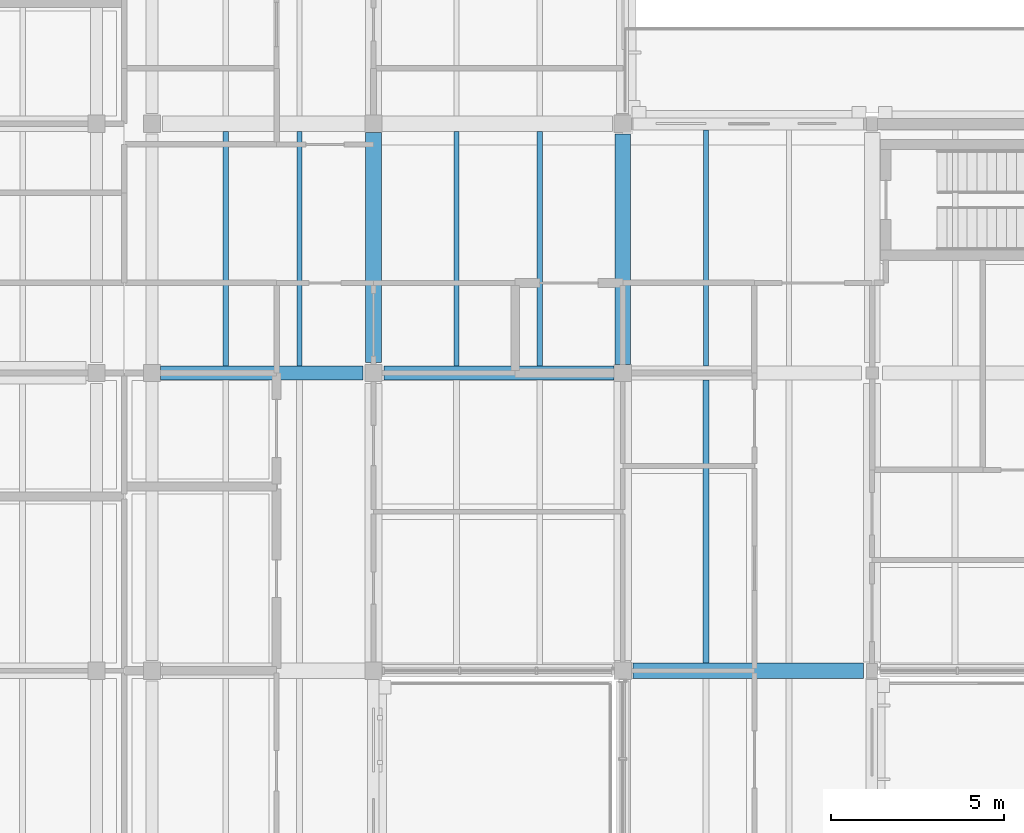
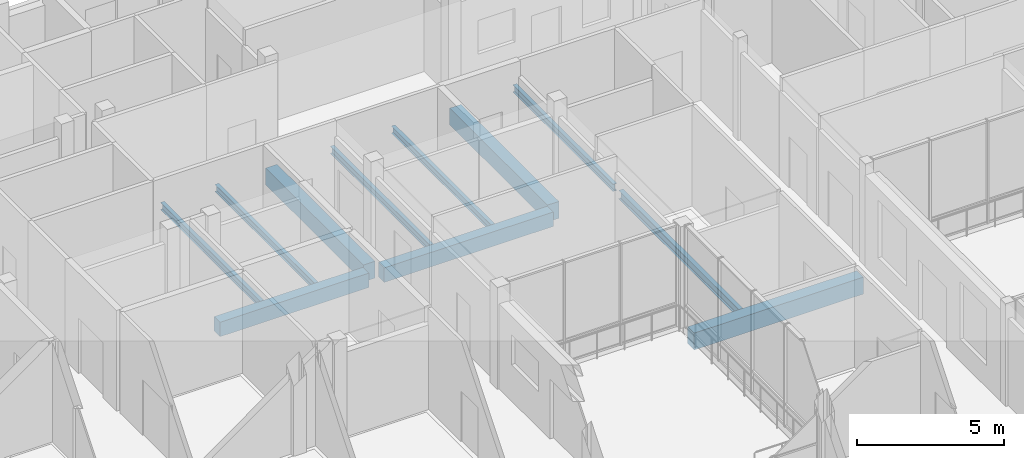
# One storey, part 90 of 146: 11 beams.
"""IFC4 building model written with IfcOpenShell, lengths in metres."""

from ifc_helpers import new_model, si_unit, direction, frame, origin, origin_2d, place, context, subcontext, project, spatial, rectangle, i_section, extrude, material, material_profile, profile_set, type_object, element, save


model = new_model("IFC4")

# Units and contexts
model_context = context("Model", 3, precision=1e-05, world=origin(), true_north=direction((0.0, 1.0)))
body_context = subcontext(model_context, "Body", "Model", "MODEL_VIEW")
ifc_project = project(units=[si_unit("LENGTHUNIT", "METRE"), si_unit("AREAUNIT", "SQUARE_METRE"), si_unit("VOLUMEUNIT", "CUBIC_METRE"), si_unit("PLANEANGLEUNIT", "RADIAN"), si_unit("MASSUNIT", "GRAM", prefix="KILO")], contexts=[model_context])

# Site, building, storey
site_placement = place(None, origin())
site = spatial("IfcSite", under=ifc_project, at=site_placement, CompositionType="ELEMENT")
building_placement = place(site_placement, origin())
building = spatial("IfcBuilding", under=site, at=building_placement, Name="Hawrajan Terrace Health Centre", CompositionType="ELEMENT")
storey_placement = place(building_placement, frame((0.0, 0.0, 4.5)))
storey = spatial("IfcBuildingStorey", under=building, at=storey_placement, Name="L01", CompositionType="ELEMENT", Elevation=4.5)

# Beams
ifc_material_1 = material(Name="Concrete C40/50", Category="concrete")
ifc_material_profile_1 = material_profile(ifc_material_1, rectangle(XDim=0.39990234375, YDim=0.60009765625, at=origin_2d()), Name="RC BM 400x600")
ifc_profile_set_1 = profile_set([ifc_material_profile_1], Name="Concrete C40/50")
beam_type_1 = type_object("IfcBeamType", Name="RCGirder_400x600", PredefinedType="BEAM", material=ifc_profile_set_1)
beam_1_placement = place(storey_placement, frame((130.449951171875, 45.39990234375, -0.699951171875), z_axis=(1.0, 0.0, 0.0), x_axis=(0.0, 1.0, 0.0)))
element("IfcBeam", 1, at=beam_1_placement, inside=storey, type_object=beam_type_1, Name="Beam BM-X-L01-E-17-Y6", PredefinedType="BEAM", context=body_context, shape_type="SweptSolid", body=[
    extrude(rectangle(XDim=0.39990234375, YDim=0.60009765625, at=origin_2d()), origin(), (0.0, 0.0, 1.0), 5.85009765625),
])
beam_2_placement = place(storey_placement, frame((136.89990234375, 45.39990234375, -0.699951171875), z_axis=(1.0, 0.0, 0.0), x_axis=(0.0, 1.0, 0.0)))
element("IfcBeam", 2, at=beam_2_placement, inside=storey, type_object=beam_type_1, Name="Beam BM-X-L01-E-18-Y6", PredefinedType="BEAM", context=body_context, shape_type="SweptSolid", body=[
    extrude(rectangle(XDim=0.39990234375, YDim=0.60009765625, at=origin_2d()), origin(), (0.0, 0.0, 1.0), 6.650146484375),
])
ifc_material_profile_2 = material_profile(ifc_material_1, rectangle(XDim=0.449951171875, YDim=0.699951171875, at=origin_2d()), Name="RC BM 450x700")
ifc_profile_set_2 = profile_set([ifc_material_profile_2], Name="Concrete C40/50")
beam_type_2 = type_object("IfcBeamType", Name="RCGirder_450x700", PredefinedType="BEAM", material=ifc_profile_set_2)
beam_3_placement = place(storey_placement, frame((144.10009765625, 36.800048828125, -0.75), z_axis=(1.0, 0.0, 0.0), x_axis=(0.0, 1.0, 0.0)))
element("IfcBeam", 3, at=beam_3_placement, inside=storey, type_object=beam_type_2, Name="Beam BM-X-L01-E-19-Y5", PredefinedType="BEAM", context=body_context, shape_type="SweptSolid", body=[
    extrude(rectangle(XDim=0.449951171875, YDim=0.699951171875, at=origin_2d()), origin(), (0.0, 0.0, 1.0), 6.64990234375),
])
for number, where, z_axis, x_axis, name in (
    (4, (136.60009765625, 45.699951171875, -0.75), (0.0, 1.0, 0.0), (-1.0, 0.0, 0.0), "Beam BM-Y-L01-E-X18-6"),
    (5, (143.800048828125, 45.64990234375, -0.75), (0.0, 1.0, 0.0), (-1.0, 0.0, 0.0), "Beam BM-Y-L01-E-X19-6"),
):
    element("IfcBeam", number, at=place(storey_placement, frame(where, z_axis=z_axis, x_axis=x_axis)), inside=storey, type_object=beam_type_2, Name=name, PredefinedType="BEAM", context=body_context, shape_type="SweptSolid", body=[
        extrude(rectangle(XDim=0.449951171875, YDim=0.699951171875, at=origin_2d()), origin(), (0.0, 0.0, 1.0), 6.650146484375),
    ])
ifc_material_2 = material(Name="Steel S355", Category="steel")
ifc_material_profile_3 = material_profile(ifc_material_2, i_section(OverallWidth=0.14990234375, OverallDepth=0.300048828125, WebThickness=0.007080078125, FlangeThickness=0.0107421875, FilletRadius=0.014892578125, at=origin_2d()), Name="IPE 300")
ifc_profile_set_3 = profile_set([ifc_material_profile_3], Name="Steel S355")
beam_type_3 = type_object("IfcBeamType", Name="SteelBeam_IPE300", PredefinedType="JOIST", material=ifc_profile_set_3)
for number, where, z_axis, x_axis, name in (
    (6, (132.333251953125, 45.60009765625, -0.550048828125), (0.0, 1.0, 0.0), (-1.0, 0.0, 0.0), "Secondary joist JST-L01-E-17-6-1"),
    (7, (134.466796875, 45.60009765625, -0.550048828125), (0.0, 1.0, 0.0), (-1.0, 0.0, 0.0), "Secondary joist JST-L01-E-17-6-2"),
    (8, (139.0, 45.60009765625, -0.550048828125), (0.0, 1.0, 0.0), (-1.0, 0.0, 0.0), "Secondary joist JST-L01-E-18-6-1"),
    (9, (141.39990234375, 45.60009765625, -0.550048828125), (0.0, 1.0, 0.0), (-1.0, 0.0, 0.0), "Secondary joist JST-L01-E-18-6-2"),
):
    element("IfcBeam", number, at=place(storey_placement, frame(where, z_axis=z_axis, x_axis=x_axis)), inside=storey, type_object=beam_type_3, Name=name, PredefinedType="JOIST", context=body_context, shape_type="SweptSolid", body=[
        extrude(i_section(OverallWidth=0.14990234375, OverallDepth=0.300048828125, WebThickness=0.007080078125, FlangeThickness=0.0107421875, FilletRadius=0.014892578125, at=origin_2d()), origin(), (0.0, 0.0, 1.0), 6.77490234375),
    ])
beam_4_placement = place(storey_placement, frame((146.199951171875, 45.60009765625, -0.550048828125), z_axis=(0.0, 1.0, 0.0), x_axis=(-1.0, 0.0, 0.0)))
element("IfcBeam", 10, at=beam_4_placement, inside=storey, type_object=beam_type_3, Name="Secondary joist JST-L01-E-19-6-1", PredefinedType="JOIST", context=body_context, shape_type="SweptSolid", body=[
    extrude(i_section(OverallWidth=0.14990234375, OverallDepth=0.300048828125, WebThickness=0.007080078125, FlangeThickness=0.0107421875, FilletRadius=0.014892578125, at=origin_2d()), origin(), (0.0, 0.0, 1.0), 6.824951171875),
])
ifc_material_profile_4 = material_profile(ifc_material_2, i_section(OverallWidth=0.169921875, OverallDepth=0.360107421875, WebThickness=0.008056640625, FlangeThickness=0.0126953125, FilletRadius=0.01806640625, at=origin_2d()), Name="IPE 360")
ifc_profile_set_4 = profile_set([ifc_material_profile_4], Name="Steel S355")
beam_type_4 = type_object("IfcBeamType", Name="SteelBeam_IPE360", PredefinedType="BEAM", material=ifc_profile_set_4)
beam_5_placement = place(storey_placement, frame((146.199951171875, 37.02490234375, -0.580078125), z_axis=(0.0, 1.0, 0.0), x_axis=(-1.0, 0.0, 0.0)))
element("IfcBeam", 11, at=beam_5_placement, inside=storey, type_object=beam_type_4, Name="Secondary joist JST-L01-E-19-5-1", PredefinedType="BEAM", context=body_context, shape_type="SweptSolid", body=[
    extrude(i_section(OverallWidth=0.169921875, OverallDepth=0.360107421875, WebThickness=0.008056640625, FlangeThickness=0.0126953125, FilletRadius=0.01806640625, at=origin_2d()), origin(), (0.0, 0.0, 1.0), 8.175048828125),
])

save(model, "model.ifc")
